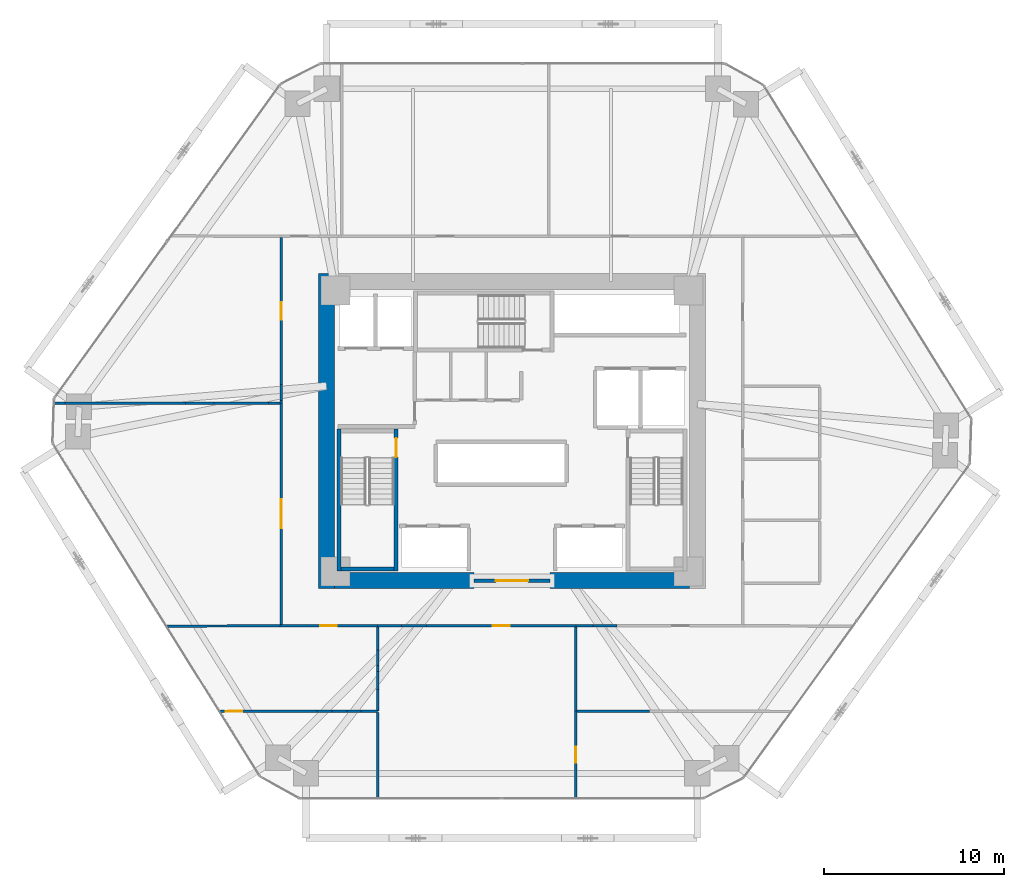
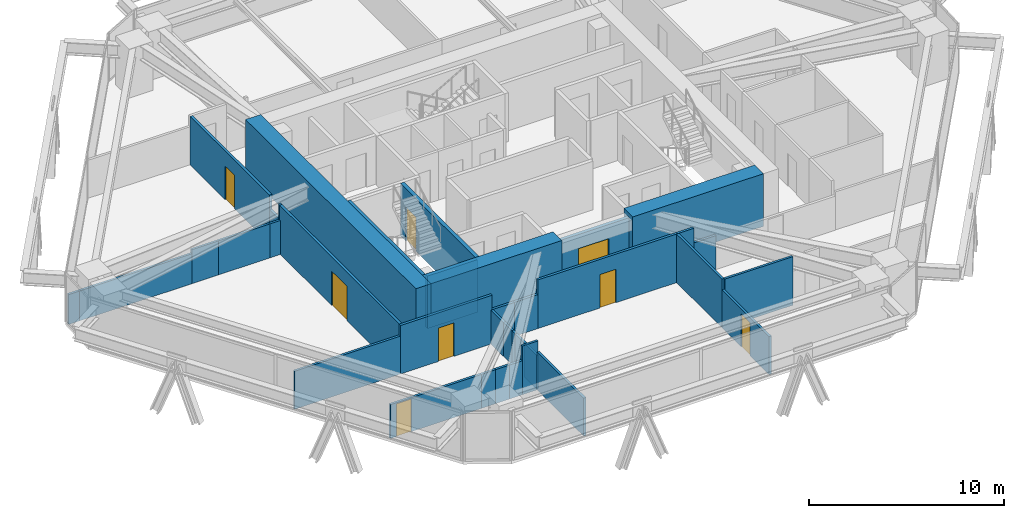
# One storey, part 13 of 17: 37 walls, 8 doors, 8 openings.
"""IFC4 building model written with IfcOpenShell, lengths in metres."""

from ifc_helpers import new_model, si_unit, direction, frame, frame_2d, origin, place, context, subcontext, project, spatial, rectangle, extrude, source, transform, mapped, material, layer, layer_set, type_object, type_shapes, element, fill, save


model = new_model("IFC4")

# Units and contexts
model_context = context("Model", 3, precision=1e-05, world=origin(), true_north=direction((0.0, 1.0)))
body_context = subcontext(model_context, "Body", "Model", "MODEL_VIEW")
ifc_project = project(units=[si_unit("LENGTHUNIT", "METRE"), si_unit("AREAUNIT", "SQUARE_METRE"), si_unit("VOLUMEUNIT", "CUBIC_METRE"), si_unit("PLANEANGLEUNIT", "RADIAN"), si_unit("MASSUNIT", "GRAM", prefix="KILO")], contexts=[model_context])

# Site, building, storey
site_placement = place(None, origin())
site = spatial("IfcSite", under=ifc_project, at=site_placement, CompositionType="ELEMENT")
building_placement = place(site_placement, origin())
building = spatial("IfcBuilding", under=site, at=building_placement, Name="Durnholm Broadcast Tower", CompositionType="ELEMENT")
storey_placement = place(building_placement, frame((0.0, 0.0, 52.199951171875)))
storey = spatial("IfcBuildingStorey", under=building, at=storey_placement, Name="L12", CompositionType="ELEMENT", Elevation=52.199951171875)

# Walls
ifc_material_1 = material(Name="Concrete C70/85", Category="concrete")
ifc_layer_1 = layer(ifc_material_1, 0.89990234375)
ifc_layer_set_1 = layer_set([ifc_layer_1], Name="Concrete C70/85")
wall_type_1 = type_object("IfcWallType", Name="WALL-CW-900", PredefinedType="SHEAR", material=ifc_layer_set_1)
wall_1_placement = place(storey_placement, frame((-10.300048828125, -8.75, 0.0), z_axis=(0.0, 0.0, 1.0), x_axis=(0.0, 1.0, 0.0)))
element("IfcWall", 1, at=wall_1_placement, inside=storey, type_object=wall_type_1, Name="L12 central core shear wall CW-WEST", PredefinedType="SHEAR", context=body_context, shape_type="SweptSolid", body=[
    extrude(rectangle(XDim=17.5, YDim=0.89990234375, at=frame_2d((8.75, 0.0))), origin(), (0.0, 0.0, 1.0), 3.300048828125),
])
for number, where, z_axis, x_axis, name in (
    (2, (-9.85009765625, -8.300048828125, 0.0), (0.0, 0.0, 1.0), (1.0, 0.0, 0.0), "L12 central core shear wall CW-S1"),
    (3, (2.10009765625, -8.300048828125, 0.0), (0.0, 0.0, 1.0), (1.0, 0.0, 0.0), "L12 central core shear wall CW-S2"),
):
    element("IfcWall", number, at=place(storey_placement, frame(where, z_axis=z_axis, x_axis=x_axis)), inside=storey, type_object=wall_type_1, Name=name, PredefinedType="SHEAR", context=body_context, shape_type="SweptSolid", body=[
        extrude(rectangle(XDim=7.75, YDim=0.89990234375, at=frame_2d((3.875, 0.0))), origin(), (0.0, 0.0, 1.0), 3.300048828125),
    ])

# Wall, opening, door
ifc_material_2 = material(Name="Fire-Rated Gypsum Shaftwall", Category="concrete")
ifc_layer_2 = layer(ifc_material_2, 0.199951171875)
ifc_layer_set_2 = layer_set([ifc_layer_2], Name="Fire-Rated Gypsum Shaftwall")
wall_type_2 = type_object("IfcWallType", Name="WALL-LOB-200", PredefinedType="SOLIDWALL", material=ifc_layer_set_2)
wall_2_placement = place(storey_placement, frame((-2.10009765625, -8.300048828125, 0.0), z_axis=(0.0, 0.0, 1.0), x_axis=(1.0, 0.0, 0.0)))
wall_2 = element("IfcWall", 4, at=wall_2_placement, inside=storey, type_object=wall_type_2, Name="L12 south core lobby fire screen", PredefinedType="SOLIDWALL", context=body_context, shape_type="SweptSolid", body=[
    extrude(rectangle(XDim=4.2001953125, YDim=0.199951171875, at=frame_2d((2.10009765625, 0.0))), origin(), (0.0, 0.0, 1.0), 3.045166015625),
])
opening_1_placement = place(wall_2_placement, frame((1.199951171875, 0.0, 0.0)))
opening_1 = element("IfcOpeningElement", 5, at=opening_1_placement, cuts=wall_2, Name="Opening DP-60", PredefinedType="OPENING", context=body_context, shape_type="SweptSolid", body=[
    extrude(rectangle(XDim=1.800048828125, YDim=2.14990234375, at=frame_2d((0.89990234375, 1.074951171875))), frame((0.0, 0.10986328125, 0.0), z_axis=(0.0, -1.0, 0.0), x_axis=(1.0, 0.0, 0.0)), (0.0, 0.0, 1.0), 0.219970703125),
])
ifc_material_3 = material(Name="Fire-Rated Double Corridor Door", Category="steel")
ifc_layer_3 = layer(ifc_material_3, 0.050048828125)
ifc_layer_set_3 = layer_set([ifc_layer_3], Name="Fire-Rated Double Corridor Door")
door_type_1 = type_object("IfcDoorType", Name="DOOR-PAIR-FD60", OperationType="DOUBLE_DOOR_SINGLE_SWING", PredefinedType="DOOR", material=ifc_layer_set_3)
shared_shape_1 = source(origin(), body_context, "Body", "SweptSolid", [
    extrude(rectangle(XDim=1.800048828125, YDim=2.14990234375, at=frame_2d((0.89990234375, 1.074951171875))), frame((0.0, 0.02490234375, 0.0), z_axis=(0.0, -1.0, 0.0), x_axis=(1.0, 0.0, 0.0)), (0.0, 0.0, 1.0), 0.050048828125),
])
type_shapes(door_type_1, [shared_shape_1])
door_1_placement = place(opening_1_placement, origin())
door_1 = element("IfcDoor", 6, at=door_1_placement, inside=storey, type_object=door_type_1, Name="L12 south core lobby double fire door", OperationType="DOUBLE_DOOR_SINGLE_SWING", OverallHeight=2.14990234375, OverallWidth=1.800048828125, PredefinedType="DOOR", context=body_context, shape_type="MappedRepresentation", body=[
    mapped(shared_shape_1, transform((0.0, 0.0, 0.0), x_axis=(1.0, 0.0, 0.0), y_axis=(0.0, 1.0, 0.0), z_axis=(0.0, 0.0, 1.0), scale=1.0)),
])
fill(opening_1, door_1)

ifc_material_4 = material(Name="Gypsum Metal Stud Partition", Category="concrete")
ifc_layer_4 = layer(ifc_material_4, 0.135009765625)
ifc_layer_set_4 = layer_set([ifc_layer_4], Name="Gypsum Metal Stud Partition")
wall_type_3 = type_object("IfcWallType", Name="WALL-PART-135", PredefinedType="PARTITIONING", material=ifc_layer_set_4)
wall_3_placement = place(storey_placement, frame((-16.233642578125, -15.566162109375, 0.0), z_axis=(0.0, 0.0, 1.0), x_axis=(0.999997015087, 0.002443321063, 0.0)))
wall_3 = element("IfcWall", 7, at=wall_3_placement, inside=storey, type_object=wall_type_3, Name="L12 room dividing partition 10.11", PredefinedType="PARTITIONING", context=body_context, shape_type="SweptSolid", body=[
    extrude(rectangle(XDim=5.395751953125, YDim=0.135009765625, at=frame_2d((2.69775390625, 0.0))), origin(), (0.0, 0.0, 1.0), 2.130126953125),
])
opening_2_placement = place(wall_3_placement, frame((0.35009765625, 0.0, 0.0)))
opening_2 = element("IfcOpeningElement", 8, at=opening_2_placement, cuts=wall_3, Name="Opening DW-90L", PredefinedType="OPENING", context=body_context, shape_type="SweptSolid", body=[
    extrude(rectangle(XDim=0.89990234375, YDim=2.050048828125, at=frame_2d((0.449951171875, 1.02490234375))), frame((0.0, 0.07763671875, 0.0), z_axis=(0.0, -1.0, 0.0), x_axis=(1.0, 0.0, 0.0)), (0.0, 0.0, 1.0), 0.155029296875),
])
ifc_material_5 = material(Name="Laminate Restroom Door", Category="steel")
ifc_layer_5 = layer(ifc_material_5, 0.050048828125)
ifc_layer_set_5 = layer_set([ifc_layer_5], Name="Laminate Restroom Door")
door_type_2 = type_object("IfcDoorType", Name="DOOR-WC-900L", OperationType="NOTDEFINED", PredefinedType="DOOR", material=ifc_layer_set_5)
shared_shape_2 = source(origin(), body_context, "Body", "SweptSolid", [
    extrude(rectangle(XDim=0.89990234375, YDim=2.050048828125, at=frame_2d((0.449951171875, 1.02490234375))), frame((0.0, 0.02490234375, 0.0), z_axis=(0.0, -1.0, 0.0), x_axis=(1.0, 0.0, 0.0)), (0.0, 0.0, 1.0), 0.050048828125),
])
type_shapes(door_type_2, [shared_shape_2])
door_2_placement = place(opening_2_placement, origin())
door_2 = element("IfcDoor", 9, at=door_2_placement, inside=storey, type_object=door_type_2, Name="L12 Open Plan Broadcast Workspace 5 connecting door", OperationType="SINGLE_SWING_LEFT", OverallHeight=2.050048828125, OverallWidth=0.89990234375, PredefinedType="DOOR", context=body_context, shape_type="MappedRepresentation", body=[
    mapped(shared_shape_2, transform((0.0, 0.0, 0.0), x_axis=(1.0, 0.0, 0.0), y_axis=(0.0, 1.0, 0.0), z_axis=(0.0, 0.0, 1.0), scale=1.0)),
])
fill(opening_2, door_2)

# Walls
wall_4_placement = place(storey_placement, frame((-9.984130859375, -15.551025390625, 0.0), z_axis=(0.0, 0.0, 1.0), x_axis=(0.999997208907, 0.002362663222, 0.0)))
element("IfcWall", 10, at=wall_4_placement, inside=storey, type_object=wall_type_3, Name="L12 room dividing partition 10.11", PredefinedType="PARTITIONING", context=body_context, shape_type="SweptSolid", body=[
    extrude(rectangle(XDim=0.82666015625, YDim=0.135009765625, at=frame_2d((0.413330078125, 0.0))), origin(), (0.0, 0.0, 1.0), 2.130126953125),
])
wall_5_placement = place(storey_placement, frame((-8.39404296875, -15.547119140625, 0.0), z_axis=(0.0, 0.0, 1.0), x_axis=(0.999997233292, 0.002352319681, 0.0)))
element("IfcWall", 11, at=wall_5_placement, inside=storey, type_object=wall_type_3, Name="L12 room dividing partition 10.11", PredefinedType="PARTITIONING", context=body_context, shape_type="SweptSolid", body=[
    extrude(rectangle(XDim=0.93408203125, YDim=0.135009765625, at=frame_2d((0.467041015625, 0.0))), origin(), (0.0, 0.0, 1.0), 3.045166015625),
])
wall_6_placement = place(storey_placement, frame((-10.837890625, -15.552978515625, 0.0), z_axis=(0.0, 0.0, 1.0), x_axis=(0.999997383281, 0.002287669164, 0.0)))
element("IfcWall", 12, at=wall_6_placement, inside=storey, type_object=wall_type_3, Name="L12 room dividing partition 10.11", PredefinedType="PARTITIONING", context=body_context, shape_type="SweptSolid", body=[
    extrude(rectangle(XDim=0.853759765625, YDim=0.135009765625, at=frame_2d((0.4267578125, 0.0))), origin(), (0.0, 0.0, 1.0), 2.130126953125),
])
wall_7_placement = place(storey_placement, frame((-9.157470703125, -15.549072265625, 0.0), z_axis=(0.0, 0.0, 1.0), x_axis=(0.999996727406, 0.002558354275, 0.0)))
element("IfcWall", 13, at=wall_7_placement, inside=storey, type_object=wall_type_3, Name="L12 room dividing partition 10.11", PredefinedType="PARTITIONING", context=body_context, shape_type="SweptSolid", body=[
    extrude(rectangle(XDim=0.763427734375, YDim=0.135009765625, at=frame_2d((0.3818359375, 0.0))), origin(), (0.0, 0.0, 1.0), 2.130126953125),
])
wall_8_placement = place(storey_placement, frame((-7.4599609375, -15.616455078125, 0.0), z_axis=(0.0, 0.0, 1.0), x_axis=(0.0, -1.0, 0.0)))
element("IfcWall", 14, at=wall_8_placement, inside=storey, type_object=wall_type_3, Name="L12 room dividing partition 10.12", PredefinedType="PARTITIONING", context=body_context, shape_type="SweptSolid", body=[
    extrude(rectangle(XDim=4.783447265625, YDim=0.135009765625, at=frame_2d((2.3916015625, 0.0))), origin(), (0.0, 0.0, 1.0), 2.380126953125),
])
wall_9_placement = place(storey_placement, frame((-7.4599609375, -10.888916015625, 0.0), z_axis=(0.0, 0.0, 1.0), x_axis=(0.0, -1.0, 0.0)))
element("IfcWall", 15, at=wall_9_placement, inside=storey, type_object=wall_type_3, Name="L12 room dividing partition 11.12", PredefinedType="PARTITIONING", context=body_context, shape_type="SweptSolid", body=[
    extrude(rectangle(XDim=1.26708984375, YDim=0.135009765625, at=frame_2d((0.633544921875, 0.0))), origin(), (0.0, 0.0, 1.0), 2.130126953125),
])
wall_10_placement = place(storey_placement, frame((-7.4599609375, -13.0126953125, 0.0), z_axis=(0.0, 0.0, 1.0), x_axis=(0.0, -1.0, 0.0)))
element("IfcWall", 16, at=wall_10_placement, inside=storey, type_object=wall_type_3, Name="L12 room dividing partition 11.12", PredefinedType="PARTITIONING", context=body_context, shape_type="SweptSolid", body=[
    extrude(rectangle(XDim=0.32958984375, YDim=0.135009765625, at=frame_2d((0.164794921875, 0.0))), origin(), (0.0, 0.0, 1.0), 2.130126953125),
])
wall_11_placement = place(storey_placement, frame((-7.4599609375, -14.3330078125, 0.0), z_axis=(0.0, 0.0, 1.0), x_axis=(0.0, -1.0, 0.0)))
element("IfcWall", 17, at=wall_11_placement, inside=storey, type_object=wall_type_3, Name="L12 room dividing partition 11.12", PredefinedType="PARTITIONING", context=body_context, shape_type="SweptSolid", body=[
    extrude(rectangle(XDim=1.2119140625, YDim=0.135009765625, at=frame_2d((0.60595703125, 0.0))), origin(), (0.0, 0.0, 1.0), 2.130126953125),
])
wall_12_placement = place(storey_placement, frame((-7.4599609375, -12.156005859375, 0.0), z_axis=(0.0, 0.0, 1.0), x_axis=(0.0, -1.0, 0.0)))
element("IfcWall", 18, at=wall_12_placement, inside=storey, type_object=wall_type_3, Name="L12 room dividing partition 11.12", PredefinedType="PARTITIONING", context=body_context, shape_type="SweptSolid", body=[
    extrude(rectangle(XDim=0.856689453125, YDim=0.135009765625, at=frame_2d((0.42822265625, 0.0))), origin(), (0.0, 0.0, 1.0), 2.130126953125),
])
wall_13_placement = place(storey_placement, frame((-7.4599609375, -13.34228515625, 0.0), z_axis=(0.0, 0.0, 1.0), x_axis=(0.0, -1.0, 0.0)))
element("IfcWall", 19, at=wall_13_placement, inside=storey, type_object=wall_type_3, Name="L12 room dividing partition 11.12", PredefinedType="PARTITIONING", context=body_context, shape_type="SweptSolid", body=[
    extrude(rectangle(XDim=0.99072265625, YDim=0.135009765625, at=frame_2d((0.495361328125, 0.0))), origin(), (0.0, 0.0, 1.0), 2.130126953125),
])
wall_14_placement = place(storey_placement, frame((-19.18212890625, -10.831298828125, 0.0), z_axis=(0.0, 0.0, 1.0), x_axis=(0.999994432845, 0.003336806783, 0.0)))
element("IfcWall", 20, at=wall_14_placement, inside=storey, type_object=wall_type_3, Name="L12 room dividing partition 11.15", PredefinedType="PARTITIONING", context=body_context, shape_type="SweptSolid", body=[
    extrude(rectangle(XDim=6.292236328125, YDim=0.135009765625, at=frame_2d((3.14599609375, 0.0))), origin(), (0.0, 0.0, 1.0), 2.380126953125),
])

# Wall, opening, door
wall_15_placement = place(storey_placement, frame((3.5400390625, -15.544921875, 0.0), z_axis=(0.0, 0.0, 1.0), x_axis=(0.0, -1.0, 0.0)))
wall_15 = element("IfcWall", 21, at=wall_15_placement, inside=storey, type_object=wall_type_3, Name="L12 room dividing partition 12.13", PredefinedType="PARTITIONING", context=body_context, shape_type="SweptSolid", body=[
    extrude(rectangle(XDim=4.85498046875, YDim=0.135009765625, at=frame_2d((2.427490234375, 0.0))), origin(), (0.0, 0.0, 1.0), 2.380126953125),
])
opening_3_placement = place(wall_15_placement, frame((1.9775390625, 0.0, 0.0)))
opening_3 = element("IfcOpeningElement", 22, at=opening_3_placement, cuts=wall_15, Name="Opening DW-90L", PredefinedType="OPENING", context=body_context, shape_type="SweptSolid", body=[
    extrude(rectangle(XDim=0.89990234375, YDim=2.050048828125, at=frame_2d((0.449951171875, 1.02490234375))), frame((0.0, 0.07763671875, 0.0), z_axis=(0.0, -1.0, 0.0), x_axis=(1.0, 0.0, 0.0)), (0.0, 0.0, 1.0), 0.155029296875),
])
door_3_placement = place(opening_3_placement, origin())
door_3 = element("IfcDoor", 23, at=door_3_placement, inside=storey, type_object=door_type_2, Name="L12 Press Kitchen connecting door", OperationType="SINGLE_SWING_LEFT", OverallHeight=2.050048828125, OverallWidth=0.89990234375, PredefinedType="DOOR", context=body_context, shape_type="MappedRepresentation", body=[
    mapped(shared_shape_2, transform((0.0, 0.0, 0.0), x_axis=(1.0, 0.0, 0.0), y_axis=(0.0, 1.0, 0.0), z_axis=(0.0, 0.0, 1.0), scale=1.0)),
])
fill(opening_3, door_3)

# Walls
wall_16_placement = place(storey_placement, frame((3.5400390625, -10.888916015625, 0.0), z_axis=(0.0, 0.0, 1.0), x_axis=(0.0, -1.0, 0.0)))
element("IfcWall", 24, at=wall_16_placement, inside=storey, type_object=wall_type_3, Name="L12 room dividing partition 12.14", PredefinedType="PARTITIONING", context=body_context, shape_type="SweptSolid", body=[
    extrude(rectangle(XDim=4.656005859375, YDim=0.135009765625, at=frame_2d((2.328125, 0.0))), origin(), (0.0, 0.0, 1.0), 3.045166015625),
])
wall_17_placement = place(storey_placement, frame((3.611572265625, -15.54541015625, 0.0), z_axis=(0.0, 0.0, 1.0), x_axis=(0.999998234227, -0.001879240135, 0.0)))
element("IfcWall", 25, at=wall_17_placement, inside=storey, type_object=wall_type_3, Name="L12 room dividing partition 13.14", PredefinedType="PARTITIONING", context=body_context, shape_type="SweptSolid", body=[
    extrude(rectangle(XDim=4.02734375, YDim=0.135009765625, at=frame_2d((2.013671875, 0.0))), origin(), (0.0, 0.0, 1.0), 3.045166015625),
])
wall_18_placement = place(storey_placement, frame((-25.42919921875, 1.54150390625, 0.0), z_axis=(0.0, 0.0, 1.0), x_axis=(0.999999923706, -0.00039062497, 0.0)))
element("IfcWall", 26, at=wall_18_placement, inside=storey, type_object=wall_type_3, Name="L12 room dividing partition 15.16", PredefinedType="PARTITIONING", context=body_context, shape_type="SweptSolid", body=[
    extrude(rectangle(XDim=0.625, YDim=0.135009765625, at=frame_2d((0.3125, 0.0))), origin(), (0.0, 0.0, 1.0), 1.876953125),
])
wall_19_placement = place(storey_placement, frame((-18.12060546875, 1.54052734375, 0.0), z_axis=(0.0, 0.0, 1.0), x_axis=(0.999999988, -0.000154918666, 0.0)))
element("IfcWall", 27, at=wall_19_placement, inside=storey, type_object=wall_type_3, Name="L12 room dividing partition 15.16", PredefinedType="PARTITIONING", context=body_context, shape_type="SweptSolid", body=[
    extrude(rectangle(XDim=1.575927734375, YDim=0.135009765625, at=frame_2d((0.7880859375, 0.0))), origin(), (0.0, 0.0, 1.0), 2.130126953125),
])
wall_20_placement = place(storey_placement, frame((-13.510498046875, 1.5400390625, 0.0), z_axis=(0.0, 0.0, 1.0), x_axis=(1.0, 0.0, 0.0)))
element("IfcWall", 28, at=wall_20_placement, inside=storey, type_object=wall_type_3, Name="L12 room dividing partition 15.16", PredefinedType="PARTITIONING", context=body_context, shape_type="SweptSolid", body=[
    extrude(rectangle(XDim=0.62158203125, YDim=0.135009765625, at=frame_2d((0.310791015625, 0.0))), origin(), (0.0, 0.0, 1.0), 2.130126953125),
])
wall_21_placement = place(storey_placement, frame((-24.80419921875, 1.541259765625, 0.0), z_axis=(0.0, 0.0, 1.0), x_axis=(0.999999993996, -0.000109585037, 0.0)))
element("IfcWall", 29, at=wall_21_placement, inside=storey, type_object=wall_type_3, Name="L12 room dividing partition 15.16", PredefinedType="PARTITIONING", context=body_context, shape_type="SweptSolid", body=[
    extrude(rectangle(XDim=6.68359375, YDim=0.135009765625, at=frame_2d((3.341796875, 0.0))), origin(), (0.0, 0.0, 1.0), 1.876953125),
])
wall_22_placement = place(storey_placement, frame((-16.544677734375, 1.540283203125, 0.0), z_axis=(0.0, 0.0, 1.0), x_axis=(0.999999996763, -8.0463469e-05, 0.0)))
element("IfcWall", 30, at=wall_22_placement, inside=storey, type_object=wall_type_3, Name="L12 room dividing partition 15.16", PredefinedType="PARTITIONING", context=body_context, shape_type="SweptSolid", body=[
    extrude(rectangle(XDim=3.0341796875, YDim=0.135009765625, at=frame_2d((1.51708984375, 0.0))), origin(), (0.0, 0.0, 1.0), 2.130126953125),
])

# Wall, opening, door
ifc_material_6 = material(Name="Acoustic Gypsum Stud Partition", Category="concrete")
ifc_layer_6 = layer(ifc_material_6, 0.14990234375)
ifc_layer_set_6 = layer_set([ifc_layer_6], Name="Acoustic Gypsum Stud Partition")
wall_type_4 = type_object("IfcWallType", Name="WALL-PART-150", PredefinedType="PARTITIONING", material=ifc_layer_set_6)
wall_23_placement = place(storey_placement, frame((-12.889892578125, -10.81005859375, 0.0), z_axis=(0.0, 0.0, 1.0), x_axis=(1.0, 0.0, 0.0)))
wall_23 = element("IfcWall", 31, at=wall_23_placement, inside=storey, type_object=wall_type_4, Name="L12 Graphics Office corridor partition", PredefinedType="PARTITIONING", context=body_context, shape_type="SweptSolid", body=[
    extrude(rectangle(XDim=5.429931640625, YDim=0.14990234375, at=frame_2d((2.71484375, 0.0))), origin(), (0.0, 0.0, 1.0), 3.045166015625),
])
opening_4_placement = place(wall_23_placement, frame((2.2548828125, 0.0, 0.0)))
opening_4 = element("IfcOpeningElement", 32, at=opening_4_placement, cuts=wall_23, Name="Opening DR-92R", PredefinedType="OPENING", context=body_context, shape_type="SweptSolid", body=[
    extrude(rectangle(XDim=0.919921875, YDim=2.10009765625, at=frame_2d((0.4599609375, 1.050048828125))), frame((0.0, 0.0849609375, 0.0), z_axis=(0.0, -1.0, 0.0), x_axis=(1.0, 0.0, 0.0)), (0.0, 0.0, 1.0), 0.169921875),
])
ifc_material_7 = material(Name="Oak Veneer Office Door", Category="wood")
ifc_layer_7 = layer(ifc_material_7, 0.050048828125)
ifc_layer_set_7 = layer_set([ifc_layer_7], Name="Oak Veneer Office Door")
door_type_3 = type_object("IfcDoorType", Name="DOOR-RM-920R", OperationType="NOTDEFINED", PredefinedType="DOOR", material=ifc_layer_set_7)
shared_shape_3 = source(origin(), body_context, "Body", "SweptSolid", [
    extrude(rectangle(XDim=0.919921875, YDim=2.10009765625, at=frame_2d((0.4599609375, 1.050048828125))), frame((0.0, 0.02490234375, 0.0), z_axis=(0.0, -1.0, 0.0), x_axis=(1.0, 0.0, 0.0)), (0.0, 0.0, 1.0), 0.050048828125),
])
type_shapes(door_type_3, [shared_shape_3])
door_4_placement = place(opening_4_placement, origin())
door_4 = element("IfcDoor", 33, at=door_4_placement, inside=storey, type_object=door_type_3, Name="L12 Graphics Office entrance door", OperationType="SINGLE_SWING_RIGHT", OverallHeight=2.10009765625, OverallWidth=0.919921875, PredefinedType="DOOR", context=body_context, shape_type="MappedRepresentation", body=[
    mapped(shared_shape_3, transform((0.0, 0.0, 0.0), x_axis=(1.0, 0.0, 0.0), y_axis=(0.0, 1.0, 0.0), z_axis=(0.0, 0.0, 1.0), scale=1.0)),
])
fill(opening_4, door_4)

# Wall
wall_24_placement = place(storey_placement, frame((-7.4599609375, -10.81005859375, 0.0), z_axis=(0.0, 0.0, 1.0), x_axis=(1.0, 0.0, 0.0)))
element("IfcWall", 34, at=wall_24_placement, inside=storey, type_object=wall_type_4, Name="L12 Commentary Lounge corridor partition", PredefinedType="PARTITIONING", context=body_context, shape_type="SweptSolid", body=[
    extrude(rectangle(XDim=1.33837890625, YDim=0.14990234375, at=frame_2d((0.669189453125, 0.0))), origin(), (0.0, 0.0, 1.0), 2.130126953125),
])

# Wall, opening, door
wall_25_placement = place(storey_placement, frame((-4.749755859375, -10.81005859375, 0.0), z_axis=(0.0, 0.0, 1.0), x_axis=(1.0, 0.0, 0.0)))
wall_25 = element("IfcWall", 35, at=wall_25_placement, inside=storey, type_object=wall_type_4, Name="L12 Commentary Lounge corridor partition", PredefinedType="PARTITIONING", context=body_context, shape_type="SweptSolid", body=[
    extrude(rectangle(XDim=8.289794921875, YDim=0.14990234375, at=frame_2d((4.14501953125, 0.0))), origin(), (0.0, 0.0, 1.0), 3.045166015625),
])
opening_5_placement = place(wall_25_placement, frame((3.669921875, 0.0, 0.0)))
opening_5 = element("IfcOpeningElement", 36, at=opening_5_placement, cuts=wall_25, Name="Opening DR-95L", PredefinedType="OPENING", context=body_context, shape_type="SweptSolid", body=[
    extrude(rectangle(XDim=0.949951171875, YDim=2.10009765625, at=frame_2d((0.47509765625, 1.050048828125))), frame((0.0, 0.0849609375, 0.0), z_axis=(0.0, -1.0, 0.0), x_axis=(1.0, 0.0, 0.0)), (0.0, 0.0, 1.0), 0.169921875),
])
ifc_material_8 = material(Name="Acoustic Oak Veneer Timber Door", Category="wood")
ifc_layer_8 = layer(ifc_material_8, 0.050048828125)
ifc_layer_set_8 = layer_set([ifc_layer_8], Name="Acoustic Oak Veneer Timber Door")
door_type_4 = type_object("IfcDoorType", Name="DOOR-RM-950L", OperationType="NOTDEFINED", PredefinedType="DOOR", material=ifc_layer_set_8)
shared_shape_4 = source(origin(), body_context, "Body", "SweptSolid", [
    extrude(rectangle(XDim=0.949951171875, YDim=2.10009765625, at=frame_2d((0.47509765625, 1.050048828125))), frame((0.0, 0.02490234375, 0.0), z_axis=(0.0, -1.0, 0.0), x_axis=(1.0, 0.0, 0.0)), (0.0, 0.0, 1.0), 0.050048828125),
])
type_shapes(door_type_4, [shared_shape_4])
door_5_placement = place(opening_5_placement, origin())
door_5 = element("IfcDoor", 37, at=door_5_placement, inside=storey, type_object=door_type_4, Name="L12 Commentary Lounge entrance door", OperationType="SINGLE_SWING_LEFT", OverallHeight=2.10009765625, OverallWidth=0.949951171875, PredefinedType="DOOR", context=body_context, shape_type="MappedRepresentation", body=[
    mapped(shared_shape_4, transform((0.0, 0.0, 0.0), x_axis=(1.0, 0.0, 0.0), y_axis=(0.0, 1.0, 0.0), z_axis=(0.0, 0.0, 1.0), scale=1.0)),
])
fill(opening_5, door_5)

# Walls
wall_26_placement = place(storey_placement, frame((-6.12158203125, -10.81005859375, 0.0), z_axis=(0.0, 0.0, 1.0), x_axis=(1.0, 0.0, 0.0)))
element("IfcWall", 38, at=wall_26_placement, inside=storey, type_object=wall_type_4, Name="L12 Commentary Lounge corridor partition", PredefinedType="PARTITIONING", context=body_context, shape_type="SweptSolid", body=[
    extrude(rectangle(XDim=1.371826171875, YDim=0.14990234375, at=frame_2d((0.68603515625, 0.0))), origin(), (0.0, 0.0, 1.0), 2.130126953125),
])
wall_27_placement = place(storey_placement, frame((3.5400390625, -10.81005859375, 0.0), z_axis=(0.0, 0.0, 1.0), x_axis=(1.0, 0.0, 0.0)))
element("IfcWall", 39, at=wall_27_placement, inside=storey, type_object=wall_type_4, Name="L12 Equipment Store corridor partition", PredefinedType="PARTITIONING", context=body_context, shape_type="SweptSolid", body=[
    extrude(rectangle(XDim=0.959228515625, YDim=0.14990234375, at=frame_2d((0.4794921875, 0.0))), origin(), (0.0, 0.0, 1.0), 3.045166015625),
])
wall_28_placement = place(storey_placement, frame((4.499267578125, -10.81005859375, 0.0), z_axis=(0.0, 0.0, 1.0), x_axis=(1.0, 0.0, 0.0)))
element("IfcWall", 40, at=wall_28_placement, inside=storey, type_object=wall_type_4, Name="L12 Equipment Store corridor partition", PredefinedType="PARTITIONING", context=body_context, shape_type="SweptSolid", body=[
    extrude(rectangle(XDim=1.318115234375, YDim=0.14990234375, at=frame_2d((0.6591796875, 0.0))), origin(), (0.0, 0.0, 1.0), 2.130126953125),
])

# Wall, opening, door
wall_29_placement = place(storey_placement, frame((-12.81005859375, 1.5400390625, 0.0), z_axis=(0.0, 0.0, 1.0), x_axis=(0.0, -1.0, 0.0)))
wall_29 = element("IfcWall", 41, at=wall_29_placement, inside=storey, type_object=wall_type_4, Name="L12 Sports Broadcast Hall corridor partition", PredefinedType="PARTITIONING", context=body_context, shape_type="SweptSolid", body=[
    extrude(rectangle(XDim=12.27099609375, YDim=0.14990234375, at=frame_2d((6.135498046875, 0.0))), origin(), (0.0, 0.0, 1.0), 3.045166015625),
])
opening_6_placement = place(wall_29_placement, frame((5.33544921875, 0.0, 0.0)))
opening_6 = element("IfcOpeningElement", 42, at=opening_6_placement, cuts=wall_29, Name="Opening DST-160", PredefinedType="OPENING", context=body_context, shape_type="SweptSolid", body=[
    extrude(rectangle(XDim=1.60009765625, YDim=2.14990234375, at=frame_2d((0.800048828125, 1.074951171875))), frame((0.0, 0.0849609375, 0.0), z_axis=(0.0, -1.0, 0.0), x_axis=(1.0, 0.0, 0.0)), (0.0, 0.0, 1.0), 0.169921875),
])
ifc_material_9 = material(Name="Acoustic Broadcast Studio Sound-Lock Door", Category="steel")
ifc_layer_9 = layer(ifc_material_9, 0.050048828125)
ifc_layer_set_9 = layer_set([ifc_layer_9], Name="Acoustic Broadcast Studio Sound-Lock Door")
door_type_5 = type_object("IfcDoorType", Name="DOOR-STU-1600", OperationType="DOUBLE_DOOR_SINGLE_SWING", PredefinedType="DOOR", material=ifc_layer_set_9)
shared_shape_5 = source(origin(), body_context, "Body", "SweptSolid", [
    extrude(rectangle(XDim=1.60009765625, YDim=2.14990234375, at=frame_2d((0.800048828125, 1.074951171875))), frame((0.0, 0.02490234375, 0.0), z_axis=(0.0, -1.0, 0.0), x_axis=(1.0, 0.0, 0.0)), (0.0, 0.0, 1.0), 0.050048828125),
])
type_shapes(door_type_5, [shared_shape_5])
door_6_placement = place(opening_6_placement, origin())
door_6 = element("IfcDoor", 43, at=door_6_placement, inside=storey, type_object=door_type_5, Name="L12 Sports Broadcast Hall entrance door", OperationType="DOUBLE_DOOR_SINGLE_SWING", OverallHeight=2.14990234375, OverallWidth=1.60009765625, PredefinedType="DOOR", context=body_context, shape_type="MappedRepresentation", body=[
    mapped(shared_shape_5, transform((0.0, 0.0, 0.0), x_axis=(1.0, 0.0, 0.0), y_axis=(0.0, 1.0, 0.0), z_axis=(0.0, 0.0, 1.0), scale=1.0)),
])
fill(opening_6, door_6)

wall_30_placement = place(storey_placement, frame((-12.81005859375, 10.73095703125, 0.0), z_axis=(0.0, 0.0, 1.0), x_axis=(0.0, -1.0, 0.0)))
wall_30 = element("IfcWall", 44, at=wall_30_placement, inside=storey, type_object=wall_type_4, Name="L12 Replay Meeting Room corridor partition", PredefinedType="PARTITIONING", context=body_context, shape_type="SweptSolid", body=[
    extrude(rectangle(XDim=8.138671875, YDim=0.14990234375, at=frame_2d((4.0693359375, 0.0))), origin(), (0.0, 0.0, 1.0), 3.045166015625),
])
opening_7_placement = place(wall_30_placement, frame((3.59423828125, 0.0, 0.0)))
opening_7 = element("IfcOpeningElement", 45, at=opening_7_placement, cuts=wall_30, Name="Opening DR-95L", PredefinedType="OPENING", context=body_context, shape_type="SweptSolid", body=[
    extrude(rectangle(XDim=0.949951171875, YDim=2.10009765625, at=frame_2d((0.47509765625, 1.050048828125))), frame((0.0, 0.0849609375, 0.0), z_axis=(0.0, -1.0, 0.0), x_axis=(1.0, 0.0, 0.0)), (0.0, 0.0, 1.0), 0.169921875),
])
door_7_placement = place(opening_7_placement, origin())
door_7 = element("IfcDoor", 46, at=door_7_placement, inside=storey, type_object=door_type_4, Name="L12 Replay Meeting Room entrance door", OperationType="SINGLE_SWING_LEFT", OverallHeight=2.10009765625, OverallWidth=0.949951171875, PredefinedType="DOOR", context=body_context, shape_type="MappedRepresentation", body=[
    mapped(shared_shape_4, transform((0.0, 0.0, 0.0), x_axis=(1.0, 0.0, 0.0), y_axis=(0.0, 1.0, 0.0), z_axis=(0.0, 0.0, 1.0), scale=1.0)),
])
fill(opening_7, door_7)

# Walls
wall_31_placement = place(storey_placement, frame((-12.81005859375, 1.682373046875, 0.0), z_axis=(0.0, 0.0, 1.0), x_axis=(0.0, -1.0, 0.0)))
element("IfcWall", 47, at=wall_31_placement, inside=storey, type_object=wall_type_4, Name="L12 Replay Meeting Room corridor partition", PredefinedType="PARTITIONING", context=body_context, shape_type="SweptSolid", body=[
    extrude(rectangle(XDim=0.142333984375, YDim=0.14990234375, at=frame_2d((0.0712890625, 0.0))), origin(), (0.0, 0.0, 1.0), 3.045166015625),
])
wall_32_placement = place(storey_placement, frame((-12.81005859375, 2.59228515625, 0.0), z_axis=(0.0, 0.0, 1.0), x_axis=(0.0, -1.0, 0.0)))
element("IfcWall", 48, at=wall_32_placement, inside=storey, type_object=wall_type_4, Name="L12 Replay Meeting Room corridor partition", PredefinedType="PARTITIONING", context=body_context, shape_type="SweptSolid", body=[
    extrude(rectangle(XDim=0.909912109375, YDim=0.14990234375, at=frame_2d((0.455078125, 0.0))), origin(), (0.0, 0.0, 1.0), 2.130126953125),
])

# Wall, opening, door
ifc_material_10 = material(Name="Concrete C50/60", Category="concrete")
ifc_layer_10 = layer(ifc_material_10, 0.219970703125)
ifc_layer_set_10 = layer_set([ifc_layer_10], Name="Concrete C50/60")
wall_type_5 = type_object("IfcWallType", Name="WALL-SW-220", PredefinedType="SHEAR", material=ifc_layer_set_10)
wall_33_placement = place(storey_placement, frame((-6.429931640625, -7.77001953125, -0.239990234375), z_axis=(0.0, 0.0, 1.0), x_axis=(0.0, 1.0, 0.0)))
wall_33 = element("IfcWall", 49, at=wall_33_placement, inside=storey, type_object=wall_type_5, Name="L12 stair ST-1 structural shaft wall E", PredefinedType="SHEAR", context=body_context, shape_type="SweptSolid", body=[
    extrude(rectangle(XDim=7.89013671875, YDim=0.219970703125, at=frame_2d((3.945068359375, 0.0))), origin(), (0.0, 0.0, 1.0), 3.300048828125),
])
opening_8_placement = place(wall_33_placement, frame((6.320068359375, 0.0, 0.0)))
opening_8 = element("IfcOpeningElement", 50, at=opening_8_placement, cuts=wall_33, Name="Opening DS-90L", PredefinedType="OPENING", context=body_context, shape_type="SweptSolid", body=[
    extrude(rectangle(XDim=1.050048828125, YDim=2.14990234375, at=frame_2d((0.52490234375, 1.074951171875))), frame((0.0, 0.1201171875, 0.0), z_axis=(0.0, -1.0, 0.0), x_axis=(1.0, 0.0, 0.0)), (0.0, 0.0, 1.0), 0.239990234375),
])
ifc_material_11 = material(Name="Fire-Rated Steel Door", Category="steel")
ifc_layer_11 = layer(ifc_material_11, 0.050048828125)
ifc_layer_set_11 = layer_set([ifc_layer_11], Name="Fire-Rated Steel Door")
door_type_6 = type_object("IfcDoorType", Name="DOOR-ST-FD90-L", OperationType="NOTDEFINED", PredefinedType="DOOR", material=ifc_layer_set_11)
shared_shape_6 = source(origin(), body_context, "Body", "SweptSolid", [
    extrude(rectangle(XDim=1.050048828125, YDim=2.14990234375, at=frame_2d((0.52490234375, 1.074951171875))), frame((0.0, 0.02490234375, 0.0), z_axis=(0.0, -1.0, 0.0), x_axis=(1.0, 0.0, 0.0)), (0.0, 0.0, 1.0), 0.050048828125),
])
type_shapes(door_type_6, [shared_shape_6])
door_8_placement = place(opening_8_placement, origin())
door_8 = element("IfcDoor", 51, at=door_8_placement, inside=storey, type_object=door_type_6, Name="L12 exit stair ST-1 fire door", OperationType="SINGLE_SWING_LEFT", OverallHeight=2.14990234375, OverallWidth=1.050048828125, PredefinedType="DOOR", context=body_context, shape_type="MappedRepresentation", body=[
    mapped(shared_shape_6, transform((0.0, 0.0, 0.0), x_axis=(1.0, 0.0, 0.0), y_axis=(0.0, 1.0, 0.0), z_axis=(0.0, 0.0, 1.0), scale=1.0)),
])
fill(opening_8, door_8)

# Walls
wall_34_placement = place(storey_placement, frame((-9.610107421875, 0.1201171875, -0.239990234375), z_axis=(0.0, 0.0, 1.0), x_axis=(0.0, -1.0, 0.0)))
element("IfcWall", 52, at=wall_34_placement, inside=storey, type_object=wall_type_5, Name="L12 stair ST-1 structural shaft wall W", PredefinedType="SHEAR", context=body_context, shape_type="SweptSolid", body=[
    extrude(rectangle(XDim=7.89013671875, YDim=0.219970703125, at=frame_2d((3.945068359375, 0.0))), origin(), (0.0, 0.0, 1.0), 3.300048828125),
])
wall_35_placement = place(storey_placement, frame((-9.5, -7.659912109375, -0.239990234375), z_axis=(0.0, 0.0, 1.0), x_axis=(1.0, 0.0, 0.0)))
element("IfcWall", 53, at=wall_35_placement, inside=storey, type_object=wall_type_5, Name="L12 stair ST-1 structural shaft wall S", PredefinedType="SHEAR", context=body_context, shape_type="SweptSolid", body=[
    extrude(rectangle(XDim=2.9599609375, YDim=0.219970703125, at=frame_2d((1.47998046875, 0.0))), origin(), (0.0, 0.0, 1.0), 3.300048828125),
])

save(model, "model.ifc")
